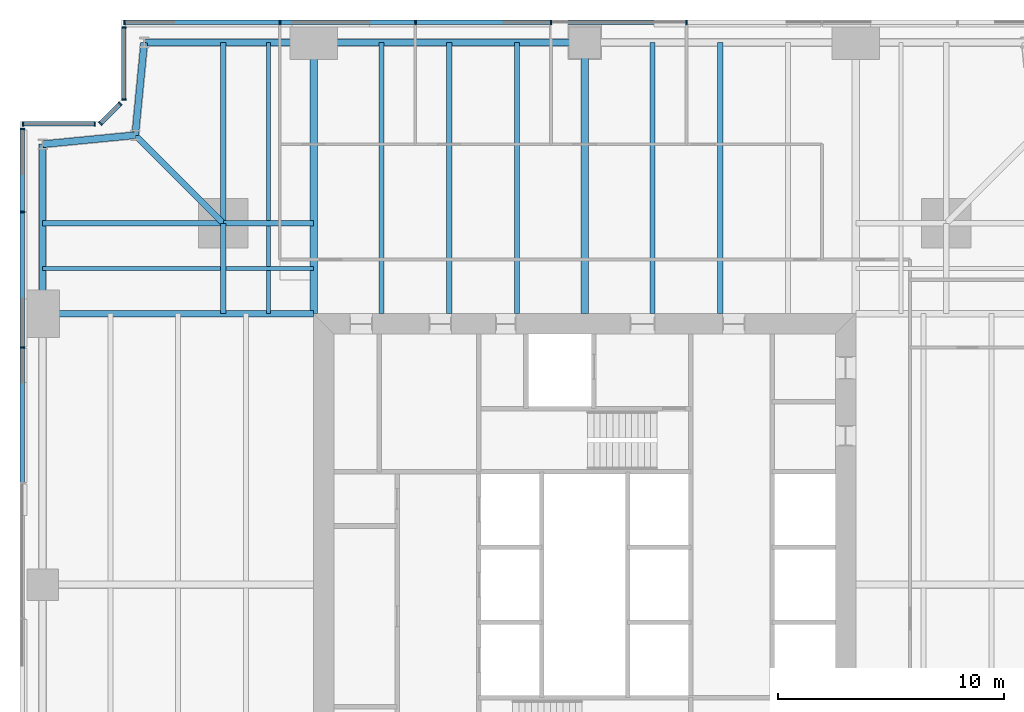
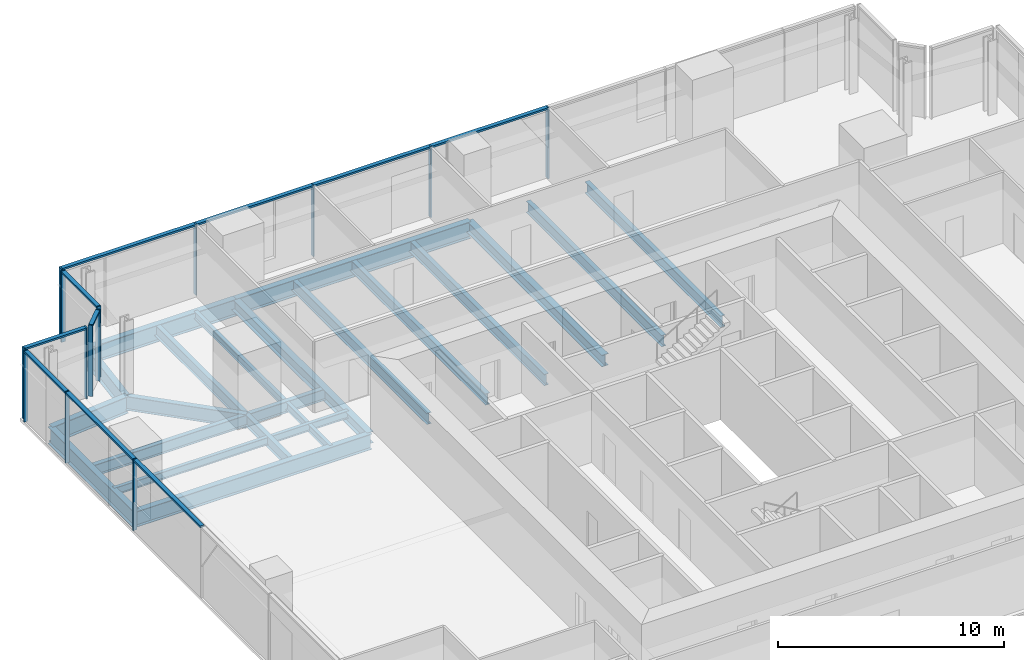
# One storey, part 6 of 13: 24 members, 23 beams, 5 elements without a shape of their own.
"""IFC4 building model written with IfcOpenShell, lengths in metres."""

from ifc_helpers import new_model, si_unit, direction, frame, origin, origin_2d, place, context, subcontext, project, spatial, rectangle, i_section, extrude, material, material_profile, profile_set, type_object, element, aggregate, save


model = new_model("IFC4")

# Units and contexts
model_context = context("Model", 3, precision=1e-05, world=origin(), true_north=direction((0.0, 1.0)))
body_context = subcontext(model_context, "Body", "Model", "MODEL_VIEW")
ifc_project = project(units=[si_unit("LENGTHUNIT", "METRE"), si_unit("AREAUNIT", "SQUARE_METRE"), si_unit("VOLUMEUNIT", "CUBIC_METRE"), si_unit("PLANEANGLEUNIT", "RADIAN"), si_unit("MASSUNIT", "GRAM", prefix="KILO")], contexts=[model_context])

# Site, building, storey
site_placement = place(None, origin())
site = spatial("IfcSite", under=ifc_project, at=site_placement, CompositionType="ELEMENT")
building_placement = place(site_placement, origin())
building = spatial("IfcBuilding", under=site, at=building_placement, Name="Fenwick Lantern Interchange", CompositionType="ELEMENT")
storey_placement = place(building_placement, frame((0.0, 0.0, 102.39990234375)))
storey = spatial("IfcBuildingStorey", under=building, at=storey_placement, Name="L23", CompositionType="ELEMENT", Elevation=102.39990234375)

# Beams
ifc_material_1 = material(Name="Steel ASTM A992 Grade 50", Category="steel")
ifc_material_profile_1 = material_profile(ifc_material_1, i_section(OverallWidth=0.3046875, OverallDepth=0.911865234375, WebThickness=0.015869140625, FlangeThickness=0.02392578125, at=origin_2d()), Name="W36X150")
ifc_profile_set_1 = profile_set([ifc_material_profile_1], Name="Steel ASTM A992 Grade 50")
beam_type_1 = type_object("IfcBeamType", Name="EDGE BEAM W36X150", PredefinedType="SPANDREL", material=ifc_profile_set_1)
beam_1_placement = place(storey_placement, frame((25.0, 49.0, -0.605712890625), z_axis=(-1.0, 0.0, 0.0), x_axis=(0.0, -1.0, 0.0)))
element("IfcBeam", 1, at=beam_1_placement, inside=storey, type_object=beam_type_1, Name="L23/FR/N/EB3", PredefinedType="SPANDREL", context=body_context, shape_type="SweptSolid", body=[
    extrude(i_section(OverallWidth=0.3046875, OverallDepth=0.911865234375, WebThickness=0.015869140625, FlangeThickness=0.02392578125, at=origin_2d()), origin(), (0.0, 0.0, 1.0), 12.0),
])
beam_2_placement = place(storey_placement, frame((13.0, 49.0, -0.605712890625), z_axis=(-1.0, 0.0, 0.0), x_axis=(0.0, -1.0, 0.0)))
element("IfcBeam", 2, at=beam_2_placement, inside=storey, type_object=beam_type_1, Name="L23/FR/N/EB4", PredefinedType="SPANDREL", context=body_context, shape_type="SweptSolid", body=[
    extrude(i_section(OverallWidth=0.3046875, OverallDepth=0.911865234375, WebThickness=0.015869140625, FlangeThickness=0.02392578125, at=origin_2d()), origin(), (0.0, 0.0, 1.0), 7.5),
])
for number, where, z_axis, x_axis, name in (
    (3, (5.5, 49.0, -0.605712890625), (-0.097074191287, -0.995277148028, 0.0), (0.995277148028, -0.097074191287, 0.0), "L23/FR/N/EBR1"),
    (4, (5.10009765625, 44.89990234375, -0.605712890625), (-0.995277148028, -0.097074191287, 0.0), (0.097074191287, -0.995277148028, 0.0), "L23/FR/N/EBR2"),
):
    element("IfcBeam", number, at=place(storey_placement, frame(where, z_axis=z_axis, x_axis=x_axis)), inside=storey, type_object=beam_type_1, Name=name, PredefinedType="SPANDREL", context=body_context, shape_type="SweptSolid", body=[
        extrude(i_section(OverallWidth=0.3046875, OverallDepth=0.911865234375, WebThickness=0.015869140625, FlangeThickness=0.02392578125, at=origin_2d()), origin(), (0.0, 0.0, 1.0), 4.11962890625),
    ])
beam_3_placement = place(storey_placement, frame((1.0, 44.5, -0.605712890625), z_axis=(0.0, -1.0, 0.0), x_axis=(1.0, 0.0, 0.0)))
element("IfcBeam", 5, at=beam_3_placement, inside=storey, type_object=beam_type_1, Name="L23/FR/W/EB1", PredefinedType="SPANDREL", context=body_context, shape_type="SweptSolid", body=[
    extrude(i_section(OverallWidth=0.3046875, OverallDepth=0.911865234375, WebThickness=0.015869140625, FlangeThickness=0.02392578125, at=origin_2d()), origin(), (0.0, 0.0, 1.0), 7.5),
])
ifc_material_profile_2 = material_profile(ifc_material_1, i_section(OverallWidth=0.22900390625, OverallDepth=0.612060546875, WebThickness=0.011962890625, FlangeThickness=0.01953125, at=origin_2d()), Name="W24X84")
ifc_profile_set_2 = profile_set([ifc_material_profile_2], Name="Steel ASTM A992 Grade 50")
beam_type_2 = type_object("IfcBeamType", Name="FLOOR BEAM W24X84", PredefinedType="BEAM", material=ifc_profile_set_2)
for number, where, z_axis, x_axis, name in (
    (6, (31.0, 49.0, -0.4560546875), (0.0, -1.0, 0.0), (1.0, 0.0, 0.0), "L23/FR/N/R03"),
    (7, (28.0, 49.0, -0.4560546875), (0.0, -1.0, 0.0), (1.0, 0.0, 0.0), "L23/FR/N/R04"),
    (8, (22.0, 49.0, -0.4560546875), (0.0, -1.0, 0.0), (1.0, 0.0, 0.0), "L23/FR/N/R06"),
    (9, (19.0, 49.0, -0.4560546875), (0.0, -1.0, 0.0), (1.0, 0.0, 0.0), "L23/FR/N/R07"),
    (10, (16.0, 49.0, -0.4560546875), (0.0, -1.0, 0.0), (1.0, 0.0, 0.0), "L23/FR/N/R08"),
):
    element("IfcBeam", number, at=place(storey_placement, frame(where, z_axis=z_axis, x_axis=x_axis)), inside=storey, type_object=beam_type_2, Name=name, PredefinedType="BEAM", context=body_context, shape_type="SweptSolid", body=[
        extrude(i_section(OverallWidth=0.22900390625, OverallDepth=0.612060546875, WebThickness=0.011962890625, FlangeThickness=0.01953125, at=origin_2d()), origin(), (0.0, 0.0, 1.0), 12.0),
    ])
ifc_material_profile_3 = material_profile(ifc_material_1, i_section(OverallWidth=0.177734375, OverallDepth=0.406494140625, WebThickness=0.0078125, FlangeThickness=0.012939453125, at=origin_2d()), Name="W16X40")
ifc_profile_set_3 = profile_set([ifc_material_profile_3], Name="Steel ASTM A992 Grade 50")
beam_type_3 = type_object("IfcBeamType", Name="INFILL BEAM W16X40", PredefinedType="JOIST", material=ifc_profile_set_3)
beam_4_placement = place(storey_placement, frame((1.0, 39.0, -0.35302734375), z_axis=(1.0, 0.0, 0.0), x_axis=(0.0, 1.0, 0.0)))
element("IfcBeam", 11, at=beam_4_placement, inside=storey, type_object=beam_type_3, Name="L23/FR/W/J1", PredefinedType="JOIST", context=body_context, shape_type="SweptSolid", body=[
    extrude(i_section(OverallWidth=0.177734375, OverallDepth=0.406494140625, WebThickness=0.0078125, FlangeThickness=0.012939453125, at=origin_2d()), origin(), (0.0, 0.0, 1.0), 7.885498046875),
])
beam_5_placement = place(storey_placement, frame((9.114501953125, 39.0, -0.35302734375), z_axis=(1.0, 0.0, 0.0), x_axis=(0.0, 1.0, 0.0)))
element("IfcBeam", 12, at=beam_5_placement, inside=storey, type_object=beam_type_3, Name="L23/FR/W/J2", PredefinedType="JOIST", context=body_context, shape_type="SweptSolid", body=[
    extrude(i_section(OverallWidth=0.177734375, OverallDepth=0.406494140625, WebThickness=0.0078125, FlangeThickness=0.012939453125, at=origin_2d()), origin(), (0.0, 0.0, 1.0), 3.885498046875),
])
beam_6_placement = place(storey_placement, frame((11.0, 49.0, -0.35302734375), z_axis=(0.0, -1.0, 0.0), x_axis=(1.0, 0.0, 0.0)))
element("IfcBeam", 13, at=beam_6_placement, inside=storey, type_object=beam_type_3, Name="L23/FR/W/J3", PredefinedType="JOIST", context=body_context, shape_type="SweptSolid", body=[
    extrude(i_section(OverallWidth=0.177734375, OverallDepth=0.406494140625, WebThickness=0.0078125, FlangeThickness=0.012939453125, at=origin_2d()), origin(), (0.0, 0.0, 1.0), 7.885498046875),
])
beam_7_placement = place(storey_placement, frame((11.0, 40.885498046875, -0.35302734375), z_axis=(0.0, -1.0, 0.0), x_axis=(1.0, 0.0, 0.0)))
element("IfcBeam", 14, at=beam_7_placement, inside=storey, type_object=beam_type_3, Name="L23/FR/W/J4", PredefinedType="JOIST", context=body_context, shape_type="SweptSolid", body=[
    extrude(i_section(OverallWidth=0.177734375, OverallDepth=0.406494140625, WebThickness=0.0078125, FlangeThickness=0.012939453125, at=origin_2d()), origin(), (0.0, 0.0, 1.0), 1.796630859375),
])
beam_8_placement = place(storey_placement, frame((11.0, 38.9111328125, -0.35302734375), z_axis=(0.0, -1.0, 0.0), x_axis=(1.0, 0.0, 0.0)))
element("IfcBeam", 15, at=beam_8_placement, inside=storey, type_object=beam_type_3, Name="L23/FR/W/J5", PredefinedType="JOIST", context=body_context, shape_type="SweptSolid", body=[
    extrude(i_section(OverallWidth=0.177734375, OverallDepth=0.406494140625, WebThickness=0.0078125, FlangeThickness=0.012939453125, at=origin_2d()), origin(), (0.0, 0.0, 1.0), 1.9111328125),
])
ifc_material_profile_4 = material_profile(ifc_material_1, i_section(OverallWidth=0.22900390625, OverallDepth=0.612060546875, WebThickness=0.011962890625, FlangeThickness=0.01953125, at=origin_2d()), Name="W24X84")
ifc_profile_set_4 = profile_set([ifc_material_profile_4], Name="Steel ASTM A992 Grade 50")
beam_type_4 = type_object("IfcBeamType", Name="MEGA COLUMN BEAM W24X84", PredefinedType="BEAM", material=ifc_profile_set_4)
for number, where, z_axis, x_axis, name in (
    (16, (9.0, 41.0, -0.4560546875), (-1.0, 0.0, 0.0), (0.0, -1.0, 0.0), "L23/FR/W/MB1"),
    (17, (9.0, 41.0, -0.4560546875), (0.0, 1.0, 0.0), (-1.0, 0.0, 0.0), "L23/FR/W/MB2"),
):
    element("IfcBeam", number, at=place(storey_placement, frame(where, z_axis=z_axis, x_axis=x_axis)), inside=storey, type_object=beam_type_4, Name=name, PredefinedType="BEAM", context=body_context, shape_type="SweptSolid", body=[
        extrude(i_section(OverallWidth=0.22900390625, OverallDepth=0.612060546875, WebThickness=0.011962890625, FlangeThickness=0.01953125, at=origin_2d()), origin(), (0.0, 0.0, 1.0), 8.0),
    ])
for number, where, z_axis, x_axis, name in (
    (18, (9.0, 41.0, -0.4560546875), (0.0, -1.0, 0.0), (1.0, 0.0, 0.0), "L23/FR/W/MB3"),
    (19, (9.0, 41.0, -0.4560546875), (1.0, 0.0, 0.0), (0.0, 1.0, 0.0), "L23/FR/W/MB4"),
):
    element("IfcBeam", number, at=place(storey_placement, frame(where, z_axis=z_axis, x_axis=x_axis)), inside=storey, type_object=beam_type_4, Name=name, PredefinedType="BEAM", context=body_context, shape_type="SweptSolid", body=[
        extrude(i_section(OverallWidth=0.22900390625, OverallDepth=0.612060546875, WebThickness=0.011962890625, FlangeThickness=0.01953125, at=origin_2d()), origin(), (0.0, 0.0, 1.0), 4.0),
    ])
ifc_material_profile_5 = material_profile(ifc_material_1, i_section(OverallWidth=0.32763671875, OverallDepth=0.622314453125, WebThickness=0.015380859375, FlangeThickness=0.0244140625, at=origin_2d()), Name="W24X131")
ifc_profile_set_5 = profile_set([ifc_material_profile_5], Name="Steel ASTM A992 Grade 50")
beam_type_5 = type_object("IfcBeamType", Name="MOMENT-CONNECTED GIRDER W24X131", PredefinedType="BEAM", material=ifc_profile_set_5)
for number, where, z_axis, x_axis, name in (
    (20, (25.0, 49.0, -0.4609375), (0.0, -1.0, 0.0), (1.0, 0.0, 0.0), "L23/FR/N/R05"),
    (21, (13.0, 49.0, -0.4609375), (0.0, -1.0, 0.0), (1.0, 0.0, 0.0), "L23/FR/N/R09"),
):
    element("IfcBeam", number, at=place(storey_placement, frame(where, z_axis=z_axis, x_axis=x_axis)), inside=storey, type_object=beam_type_5, Name=name, PredefinedType="BEAM", context=body_context, shape_type="SweptSolid", body=[
        extrude(i_section(OverallWidth=0.32763671875, OverallDepth=0.622314453125, WebThickness=0.015380859375, FlangeThickness=0.0244140625, at=origin_2d()), origin(), (0.0, 0.0, 1.0), 12.0),
    ])
ifc_material_profile_6 = material_profile(ifc_material_1, i_section(OverallWidth=0.2919921875, OverallDepth=0.845703125, WebThickness=0.015380859375, FlangeThickness=0.0244140625, at=origin_2d()), Name="W33X141")
ifc_profile_set_6 = profile_set([ifc_material_profile_6], Name="Steel ASTM A992 Grade 50")
beam_type_6 = type_object("IfcBeamType", Name="MOMENT-CONNECTED GIRDER W33X141", PredefinedType="BEAM", material=ifc_profile_set_6)
beam_9_placement = place(storey_placement, frame((1.0, 37.0, -0.57275390625), z_axis=(1.0, 0.0, 0.0), x_axis=(0.0, 1.0, 0.0)))
element("IfcBeam", 22, at=beam_9_placement, inside=storey, type_object=beam_type_6, Name="L23/FR/W/R01", PredefinedType="BEAM", context=body_context, shape_type="SweptSolid", body=[
    extrude(i_section(OverallWidth=0.2919921875, OverallDepth=0.845703125, WebThickness=0.015380859375, FlangeThickness=0.0244140625, at=origin_2d()), origin(), (0.0, 0.0, 1.0), 12.0),
])
ifc_material_profile_7 = material_profile(ifc_material_1, i_section(OverallWidth=0.2666015625, OverallDepth=0.7568359375, WebThickness=0.013916015625, FlangeThickness=0.019287109375, at=origin_2d()), Name="W30X108")
ifc_profile_set_7 = profile_set([ifc_material_profile_7], Name="Steel ASTM A992 Grade 50")
beam_type_7 = type_object("IfcBeamType", Name="NOTCH BEAM W30X108", PredefinedType="BEAM", material=ifc_profile_set_7)
beam_10_placement = place(storey_placement, frame((9.0, 41.0, -0.5283203125), z_axis=(-0.707106781187, 0.707106781187, 0.0), x_axis=(-0.707106781187, -0.707106781187, 0.0)))
element("IfcBeam", 23, at=beam_10_placement, inside=storey, type_object=beam_type_7, Name="L23/FR/W/TG", PredefinedType="BEAM", context=body_context, shape_type="SweptSolid", body=[
    extrude(i_section(OverallWidth=0.2666015625, OverallDepth=0.7568359375, WebThickness=0.013916015625, FlangeThickness=0.019287109375, at=origin_2d()), origin(), (0.0, 0.0, 1.0), 5.515380859375),
])

# Curtain wall, members
ifc_material_2 = material(Name="Aluminium curtain wall frame", Category="aluminium")
curtain_wall_type = type_object("IfcCurtainWallType", Name="OFFICE CURTAIN WALL", PredefinedType="USERDEFINED", material=ifc_material_2)
curtain_wall_1_placement = place(storey_placement, origin())
curtain_wall_1 = element("IfcCurtainWall", 24, at=curtain_wall_1_placement, inside=storey, type_object=curtain_wall_type, Name="Office curtain wall 09", ObjectType="OFFICE CURTAIN WALL", PredefinedType="USERDEFINED")
ifc_material_3 = material(Name="Aluminium extrusion", Category="aluminium")
ifc_material_profile_8 = material_profile(ifc_material_3, rectangle(XDim=0.199951171875, YDim=0.06494140625, at=origin_2d()), Name="OFFICE CURTAIN WALL MULLION 65 X 200")
ifc_profile_set_8 = profile_set([ifc_material_profile_8], Name="Aluminium extrusion")
member_type_1 = type_object("IfcMemberType", Name="OFFICE CURTAIN WALL MULLION 65 X 200", PredefinedType="MULLION", material=ifc_profile_set_8)
member_1_placement = place(storey_placement, frame((29.5, 49.89990234375, 0.0), z_axis=(0.0, 0.0, 1.0), x_axis=(0.0, -1.0, 0.0)))
member_1 = element("IfcMember", 25, at=member_1_placement, type_object=member_type_1, Name="L23/CW/09/M03", PredefinedType="MULLION", context=body_context, shape_type="SweptSolid", body=[
    extrude(rectangle(XDim=0.199951171875, YDim=0.06494140625, at=origin_2d()), origin(), (0.0, 0.0, 1.0), 3.85009765625),
])
member_2_placement = place(storey_placement, frame((23.5, 49.89990234375, 0.0), z_axis=(0.0, 0.0, 1.0), x_axis=(0.0, -1.0, 0.0)))
member_2 = element("IfcMember", 26, at=member_2_placement, type_object=member_type_1, Name="L23/CW/09/M04", PredefinedType="MULLION", context=body_context, shape_type="SweptSolid", body=[
    extrude(rectangle(XDim=0.199951171875, YDim=0.06494140625, at=origin_2d()), origin(), (0.0, 0.0, 1.0), 3.85009765625),
])
member_3_placement = place(storey_placement, frame((17.5, 49.89990234375, 0.0), z_axis=(0.0, 0.0, 1.0), x_axis=(0.0, -1.0, 0.0)))
member_3 = element("IfcMember", 27, at=member_3_placement, type_object=member_type_1, Name="L23/CW/09/M05", PredefinedType="MULLION", context=body_context, shape_type="SweptSolid", body=[
    extrude(rectangle(XDim=0.199951171875, YDim=0.06494140625, at=origin_2d()), origin(), (0.0, 0.0, 1.0), 3.85009765625),
])
member_4_placement = place(storey_placement, frame((11.5, 49.89990234375, 0.0), z_axis=(0.0, 0.0, 1.0), x_axis=(0.0, -1.0, 0.0)))
member_4 = element("IfcMember", 28, at=member_4_placement, type_object=member_type_1, Name="L23/CW/09/M06", PredefinedType="MULLION", context=body_context, shape_type="SweptSolid", body=[
    extrude(rectangle(XDim=0.199951171875, YDim=0.06494140625, at=origin_2d()), origin(), (0.0, 0.0, 1.0), 3.85009765625),
])
member_5_placement = place(storey_placement, frame((4.632568359375, 49.89990234375, 0.0), z_axis=(0.0, 0.0, 1.0), x_axis=(0.0, -1.0, 0.0)))
member_5 = element("IfcMember", 29, at=member_5_placement, type_object=member_type_1, Name="L23/CW/09/M07", PredefinedType="MULLION", context=body_context, shape_type="SweptSolid", body=[
    extrude(rectangle(XDim=0.199951171875, YDim=0.06494140625, at=origin_2d()), origin(), (0.0, 0.0, 1.0), 3.85009765625),
])

curtain_wall_2_placement = place(storey_placement, origin())
curtain_wall_2 = element("IfcCurtainWall", 30, at=curtain_wall_2_placement, inside=storey, type_object=curtain_wall_type, Name="Office curtain wall 10", ObjectType="OFFICE CURTAIN WALL", PredefinedType="USERDEFINED")
member_6_placement = place(storey_placement, frame((4.60009765625, 49.66748046875, 0.0), z_axis=(0.0, 0.0, 1.0), x_axis=(1.0, 0.0, 0.0)))
member_6 = element("IfcMember", 31, at=member_6_placement, type_object=member_type_1, Name="L23/CW/10/M00", PredefinedType="MULLION", context=body_context, shape_type="SweptSolid", body=[
    extrude(rectangle(XDim=0.199951171875, YDim=0.06494140625, at=origin_2d()), origin(), (0.0, 0.0, 1.0), 3.85009765625),
])
member_7_placement = place(storey_placement, frame((4.60009765625, 46.490966796875, 0.0), z_axis=(0.0, 0.0, 1.0), x_axis=(1.0, 0.0, 0.0)))
member_7 = element("IfcMember", 32, at=member_7_placement, type_object=member_type_1, Name="L23/CW/10/M01", PredefinedType="MULLION", context=body_context, shape_type="SweptSolid", body=[
    extrude(rectangle(XDim=0.199951171875, YDim=0.06494140625, at=origin_2d()), origin(), (0.0, 0.0, 1.0), 3.85009765625),
])

curtain_wall_3_placement = place(storey_placement, origin())
curtain_wall_3 = element("IfcCurtainWall", 33, at=curtain_wall_3_placement, inside=storey, type_object=curtain_wall_type, Name="Office curtain wall 11", ObjectType="OFFICE CURTAIN WALL", PredefinedType="USERDEFINED")
member_8_placement = place(storey_placement, frame((4.435546875, 46.294189453125, 0.0), z_axis=(0.0, 0.0, 1.0), x_axis=(0.707106781187, -0.707106781187, 0.0)))
member_8 = element("IfcMember", 34, at=member_8_placement, type_object=member_type_1, Name="L23/CW/11/M00", PredefinedType="MULLION", context=body_context, shape_type="SweptSolid", body=[
    extrude(rectangle(XDim=0.199951171875, YDim=0.06494140625, at=origin_2d()), origin(), (0.0, 0.0, 1.0), 3.85009765625),
])
member_9_placement = place(storey_placement, frame((3.564453125, 45.423095703125, 0.0), z_axis=(0.0, 0.0, 1.0), x_axis=(0.707106781187, -0.707106781187, 0.0)))
member_9 = element("IfcMember", 35, at=member_9_placement, type_object=member_type_1, Name="L23/CW/11/M01", PredefinedType="MULLION", context=body_context, shape_type="SweptSolid", body=[
    extrude(rectangle(XDim=0.199951171875, YDim=0.06494140625, at=origin_2d()), origin(), (0.0, 0.0, 1.0), 3.85009765625),
])

curtain_wall_4_placement = place(storey_placement, origin())
curtain_wall_4 = element("IfcCurtainWall", 36, at=curtain_wall_4_placement, inside=storey, type_object=curtain_wall_type, Name="Office curtain wall 12", ObjectType="OFFICE CURTAIN WALL", PredefinedType="USERDEFINED")
member_10_placement = place(storey_placement, frame((3.308837890625, 45.39990234375, 0.0), z_axis=(0.0, 0.0, 1.0), x_axis=(0.0, -1.0, 0.0)))
member_10 = element("IfcMember", 37, at=member_10_placement, type_object=member_type_1, Name="L23/CW/12/M00", PredefinedType="MULLION", context=body_context, shape_type="SweptSolid", body=[
    extrude(rectangle(XDim=0.199951171875, YDim=0.06494140625, at=origin_2d()), origin(), (0.0, 0.0, 1.0), 3.85009765625),
])
member_11_placement = place(storey_placement, frame((0.132568359375, 45.39990234375, 0.0), z_axis=(0.0, 0.0, 1.0), x_axis=(0.0, -1.0, 0.0)))
member_11 = element("IfcMember", 38, at=member_11_placement, type_object=member_type_1, Name="L23/CW/12/M01", PredefinedType="MULLION", context=body_context, shape_type="SweptSolid", body=[
    extrude(rectangle(XDim=0.199951171875, YDim=0.06494140625, at=origin_2d()), origin(), (0.0, 0.0, 1.0), 3.85009765625),
])

curtain_wall_5_placement = place(storey_placement, origin())
curtain_wall_5 = element("IfcCurtainWall", 39, at=curtain_wall_5_placement, inside=storey, type_object=curtain_wall_type, Name="Office curtain wall 13", ObjectType="OFFICE CURTAIN WALL", PredefinedType="USERDEFINED")
member_12_placement = place(storey_placement, frame((0.10009765625, 45.16748046875, 0.0), z_axis=(0.0, 0.0, 1.0), x_axis=(1.0, 0.0, 0.0)))
member_12 = element("IfcMember", 40, at=member_12_placement, type_object=member_type_1, Name="L23/CW/13/M00", PredefinedType="MULLION", context=body_context, shape_type="SweptSolid", body=[
    extrude(rectangle(XDim=0.199951171875, YDim=0.06494140625, at=origin_2d()), origin(), (0.0, 0.0, 1.0), 3.85009765625),
])
member_13_placement = place(storey_placement, frame((0.10009765625, 41.5, 0.0), z_axis=(0.0, 0.0, 1.0), x_axis=(1.0, 0.0, 0.0)))
member_13 = element("IfcMember", 41, at=member_13_placement, type_object=member_type_1, Name="L23/CW/13/M01", PredefinedType="MULLION", context=body_context, shape_type="SweptSolid", body=[
    extrude(rectangle(XDim=0.199951171875, YDim=0.06494140625, at=origin_2d()), origin(), (0.0, 0.0, 1.0), 3.85009765625),
])
member_14_placement = place(storey_placement, frame((0.10009765625, 35.5, 0.0), z_axis=(0.0, 0.0, 1.0), x_axis=(1.0, 0.0, 0.0)))
member_14 = element("IfcMember", 42, at=member_14_placement, type_object=member_type_1, Name="L23/CW/13/M02", PredefinedType="MULLION", context=body_context, shape_type="SweptSolid", body=[
    extrude(rectangle(XDim=0.199951171875, YDim=0.06494140625, at=origin_2d()), origin(), (0.0, 0.0, 1.0), 3.85009765625),
])

# Member
ifc_material_profile_9 = material_profile(ifc_material_3, rectangle(XDim=0.199951171875, YDim=0.10009765625, at=origin_2d()), Name="OFFICE CURTAIN WALL TRANSOM 100 X 200")
ifc_profile_set_9 = profile_set([ifc_material_profile_9], Name="Aluminium extrusion")
member_type_2 = type_object("IfcMemberType", Name="OFFICE CURTAIN WALL TRANSOM 100 X 200", PredefinedType="MULLION", material=ifc_profile_set_9)
member_15_placement = place(storey_placement, frame((29.467529296875, 49.89990234375, 3.800048828125), z_axis=(-1.0, 0.0, 0.0), x_axis=(0.0, -1.0, 0.0)))
member_15 = element("IfcMember", 43, at=member_15_placement, type_object=member_type_2, Name="L23/CW/09/T03", PredefinedType="MULLION", context=body_context, shape_type="SweptSolid", body=[
    extrude(rectangle(XDim=0.199951171875, YDim=0.10009765625, at=origin_2d()), origin(), (0.0, 0.0, 1.0), 5.93505859375),
])

member_16_placement = place(storey_placement, frame((23.467529296875, 49.89990234375, 3.800048828125), z_axis=(-1.0, 0.0, 0.0), x_axis=(0.0, -1.0, 0.0)))
member_16 = element("IfcMember", 44, at=member_16_placement, type_object=member_type_2, Name="L23/CW/09/T04", PredefinedType="MULLION", context=body_context, shape_type="SweptSolid", body=[
    extrude(rectangle(XDim=0.199951171875, YDim=0.10009765625, at=origin_2d()), origin(), (0.0, 0.0, 1.0), 5.93505859375),
])

member_17_placement = place(storey_placement, frame((17.467529296875, 49.89990234375, 3.800048828125), z_axis=(-1.0, 0.0, 0.0), x_axis=(0.0, -1.0, 0.0)))
member_17 = element("IfcMember", 45, at=member_17_placement, type_object=member_type_2, Name="L23/CW/09/T05", PredefinedType="MULLION", context=body_context, shape_type="SweptSolid", body=[
    extrude(rectangle(XDim=0.199951171875, YDim=0.10009765625, at=origin_2d()), origin(), (0.0, 0.0, 1.0), 5.93505859375),
])

member_18_placement = place(storey_placement, frame((11.467529296875, 49.89990234375, 3.800048828125), z_axis=(-1.0, 0.0, 0.0), x_axis=(0.0, -1.0, 0.0)))
member_18 = element("IfcMember", 46, at=member_18_placement, type_object=member_type_2, Name="L23/CW/09/T06", PredefinedType="MULLION", context=body_context, shape_type="SweptSolid", body=[
    extrude(rectangle(XDim=0.199951171875, YDim=0.10009765625, at=origin_2d()), origin(), (0.0, 0.0, 1.0), 6.802490234375),
])

aggregate(curtain_wall_1, [member_1, member_2, member_3, member_4, member_5, member_15, member_16, member_17, member_18])

member_19_placement = place(storey_placement, frame((4.60009765625, 49.635009765625, 3.800048828125), z_axis=(0.0, -1.0, 0.0), x_axis=(1.0, 0.0, 0.0)))
member_19 = element("IfcMember", 47, at=member_19_placement, type_object=member_type_2, Name="L23/CW/10/T00", PredefinedType="MULLION", context=body_context, shape_type="SweptSolid", body=[
    extrude(rectangle(XDim=0.199951171875, YDim=0.10009765625, at=origin_2d()), origin(), (0.0, 0.0, 1.0), 3.111328125),
])

aggregate(curtain_wall_2, [member_6, member_7, member_19])

member_20_placement = place(storey_placement, frame((4.41259765625, 46.271240234375, 3.800048828125), z_axis=(-0.707106781187, -0.707106781187, 0.0), x_axis=(0.707106781187, -0.707106781187, 0.0)))
member_20 = element("IfcMember", 48, at=member_20_placement, type_object=member_type_2, Name="L23/CW/11/T00", PredefinedType="MULLION", context=body_context, shape_type="SweptSolid", body=[
    extrude(rectangle(XDim=0.199951171875, YDim=0.10009765625, at=origin_2d()), origin(), (0.0, 0.0, 1.0), 1.1669921875),
])

aggregate(curtain_wall_3, [member_8, member_9, member_20])

member_21_placement = place(storey_placement, frame((3.2763671875, 45.39990234375, 3.800048828125), z_axis=(-1.0, 0.0, 0.0), x_axis=(0.0, -1.0, 0.0)))
member_21 = element("IfcMember", 49, at=member_21_placement, type_object=member_type_2, Name="L23/CW/12/T00", PredefinedType="MULLION", context=body_context, shape_type="SweptSolid", body=[
    extrude(rectangle(XDim=0.199951171875, YDim=0.10009765625, at=origin_2d()), origin(), (0.0, 0.0, 1.0), 3.111328125),
])

aggregate(curtain_wall_4, [member_10, member_11, member_21])

member_22_placement = place(storey_placement, frame((0.10009765625, 45.135009765625, 3.800048828125), z_axis=(0.0, -1.0, 0.0), x_axis=(1.0, 0.0, 0.0)))
member_22 = element("IfcMember", 50, at=member_22_placement, type_object=member_type_2, Name="L23/CW/13/T00", PredefinedType="MULLION", context=body_context, shape_type="SweptSolid", body=[
    extrude(rectangle(XDim=0.199951171875, YDim=0.10009765625, at=origin_2d()), origin(), (0.0, 0.0, 1.0), 3.6025390625),
])

member_23_placement = place(storey_placement, frame((0.10009765625, 41.467529296875, 3.800048828125), z_axis=(0.0, -1.0, 0.0), x_axis=(1.0, 0.0, 0.0)))
member_23 = element("IfcMember", 51, at=member_23_placement, type_object=member_type_2, Name="L23/CW/13/T01", PredefinedType="MULLION", context=body_context, shape_type="SweptSolid", body=[
    extrude(rectangle(XDim=0.199951171875, YDim=0.10009765625, at=origin_2d()), origin(), (0.0, 0.0, 1.0), 5.93505859375),
])

member_24_placement = place(storey_placement, frame((0.10009765625, 35.467529296875, 3.800048828125), z_axis=(0.0, -1.0, 0.0), x_axis=(1.0, 0.0, 0.0)))
member_24 = element("IfcMember", 52, at=member_24_placement, type_object=member_type_2, Name="L23/CW/13/T02", PredefinedType="MULLION", context=body_context, shape_type="SweptSolid", body=[
    extrude(rectangle(XDim=0.199951171875, YDim=0.10009765625, at=origin_2d()), origin(), (0.0, 0.0, 1.0), 5.93505859375),
])

aggregate(curtain_wall_5, [member_12, member_13, member_14, member_22, member_23, member_24])

save(model, "model.ifc")
